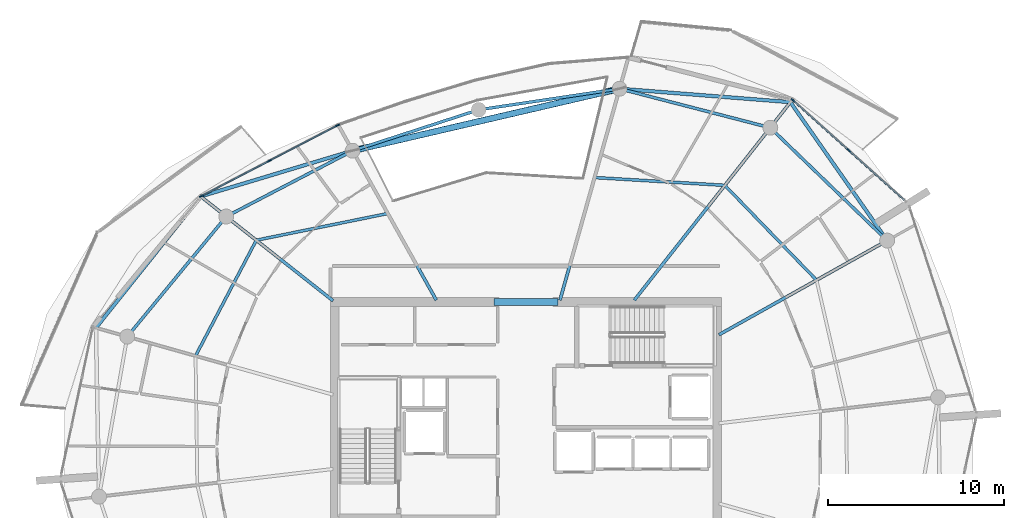
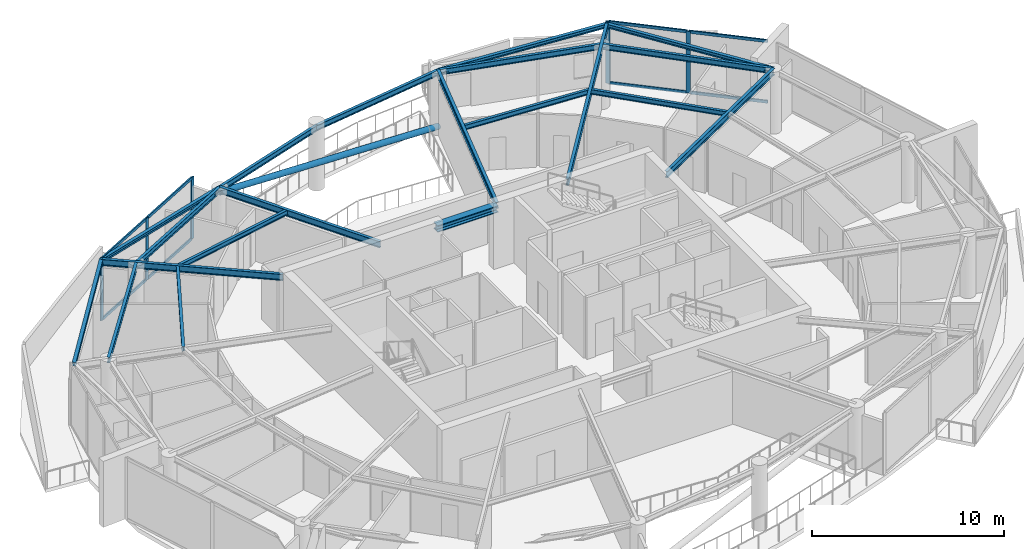
# One storey, part 7 of 22: 20 beams, 14 members, 2 elements without a shape of their own.
"""IFC4 building model written with IfcOpenShell, lengths in metres."""

import ifcopenshell
import ifcopenshell.guid

model = None  # the IFC model being written
_history = None  # IfcOwnerHistory: only IFC2X3 demands one
_inside = {}  # id of a spatial element -> (the spatial element, [elements in it])
_under = {}  # id of a project, library or spatial element -> (it, [spatial elements below it])
_declared = {}  # id of a project -> (the project, [libraries it declares])
_typed = {}  # id of a type object -> (the type object, [elements of that type])
_made_of = {}  # id of a material, layer set ... -> (it, [elements and type objects made of it])


def new_model(schema):
    """Start an empty IFC model of exactly this schema.

    Asked for "IFC4X3", IfcOpenShell would pick the latest addendum, in which some entities
    have other attributes; the version numbers below select the first issue.
    IFC2X3 requires an IfcOwnerHistory on every rooted entity: one is made here for all.
    """
    global model, _history
    if schema == "IFC4X3":
        model = ifcopenshell.file(schema_version=(4, 3, 0, 0))
    else:
        model = ifcopenshell.file(schema=schema)
    _inside.clear()
    _under.clear()
    _declared.clear()
    _typed.clear()
    _made_of.clear()
    _history = None
    if model.schema == "IFC2X3":
        org = make("IfcOrganization", Name="unknown")
        user = make(
            "IfcPersonAndOrganization",
            ThePerson=make("IfcPerson", FamilyName="unknown"),
            TheOrganization=org,
        )
        app = make(
            "IfcApplication",
            ApplicationDeveloper=org,
            Version="unknown",
            ApplicationFullName="unknown",
            ApplicationIdentifier="unknown",
        )
        _history = make(
            "IfcOwnerHistory",
            OwningUser=user,
            OwningApplication=app,
            ChangeAction="ADDED",
            CreationDate=0,
        )
    return model


def make(cls, **values):
    """One entity of the class cls with the attributes given. An attribute that is None is left unset."""
    return model.create_entity(
        cls, **{name: value for name, value in values.items() if value is not None}
    )


def rooted(cls, **values):
    """An entity with a GlobalId (a new one), such as an element, a storey or a relation."""
    return make(cls, GlobalId=ifcopenshell.guid.new(), OwnerHistory=_history, **values)


def si_unit(unit_type, name, prefix=None):
    """IfcSIUnit, for example si_unit("LENGTHUNIT", "METRE", prefix="MILLI")."""
    return make("IfcSIUnit", UnitType=unit_type, Prefix=prefix, Name=name)


def assignment(units):
    """IfcUnitAssignment: the units of a project."""
    return None if units is None else make("IfcUnitAssignment", Units=units)


def point(xyz):
    """IfcCartesianPoint."""
    return None if xyz is None else make("IfcCartesianPoint", Coordinates=xyz)


def direction(xyz):
    """IfcDirection."""
    return None if xyz is None else make("IfcDirection", DirectionRatios=xyz)


def frame(location, z_axis=None, x_axis=None):
    """IfcAxis2Placement3D, a coordinate frame: its origin and axes. An axis left out is left unset."""
    return make(
        "IfcAxis2Placement3D",
        Location=point(location),
        Axis=direction(z_axis),
        RefDirection=direction(x_axis),
    )


def frame_2d(location, x_axis=None):
    """IfcAxis2Placement2D, a coordinate frame in the plane: its origin and x axis."""
    return make(
        "IfcAxis2Placement2D", Location=point(location), RefDirection=direction(x_axis)
    )


def origin():
    """The frame at (0, 0, 0) with its axes left unset."""
    return frame((0.0, 0.0, 0.0))


def origin_2d():
    """The frame at (0, 0) in the plane with its x axis left unset."""
    return frame_2d((0.0, 0.0))


def place(relative_to, where):
    """IfcLocalPlacement: puts the frame where relative to a parent placement (None: the world)."""
    return make(
        "IfcLocalPlacement", PlacementRelTo=relative_to, RelativePlacement=where
    )


def context(
    kind, dimensions, precision=None, world=None, true_north=None, identifier=None
):
    """IfcGeometricRepresentationContext, for example the 3D "Model" context."""
    return make(
        "IfcGeometricRepresentationContext",
        ContextIdentifier=identifier,
        ContextType=kind,
        CoordinateSpaceDimension=dimensions,
        Precision=precision,
        WorldCoordinateSystem=world,
        TrueNorth=true_north,
    )


def subcontext(parent, identifier, kind, view, scale=None):
    """IfcGeometricRepresentationSubContext, for example "Body" below "Model"."""
    return make(
        "IfcGeometricRepresentationSubContext",
        ContextIdentifier=identifier,
        ContextType=kind,
        ParentContext=parent,
        TargetScale=scale,
        TargetView=view,
    )


def project(units=None, contexts=None):
    """IfcProject with its units and contexts."""
    return rooted(
        "IfcProject",
        Name="project",
        RepresentationContexts=contexts,
        UnitsInContext=assignment(units),
    )


def spatial(cls, under=None, at=None, **own):
    """A site, building, storey or space (cls), placed at a placement, below another one or the project."""
    s = rooted(cls, ObjectPlacement=at, **own)
    if under is not None:
        _under.setdefault(under.id(), (under, []))[1].append(s)
    return s


def profile(cls, at=None, kind="AREA", **sizes):
    """A parametric profile (cls). Its sizes go by their IFC names, for example OverallWidth=200.0."""
    return make(cls, ProfileType=kind, Position=at, **sizes)


def rectangle(**sizes):
    """IfcRectangleProfileDef."""
    return profile("IfcRectangleProfileDef", **sizes)


def hollow_circle(**sizes):
    """IfcCircleHollowProfileDef."""
    return profile("IfcCircleHollowProfileDef", **sizes)


def i_section(**sizes):
    """IfcIShapeProfileDef."""
    return profile("IfcIShapeProfileDef", **sizes)


def extrude(swept, where, along, depth):
    """IfcExtrudedAreaSolid: the profile swept, set in the frame where, extruded along a direction by depth."""
    return make(
        "IfcExtrudedAreaSolid",
        SweptArea=swept,
        Position=where,
        ExtrudedDirection=direction(along),
        Depth=depth,
    )


def shape(context_of_items, identifier, shape_type, items):
    """IfcShapeRepresentation: the items that make up one representation, for example the "Body"."""
    return make(
        "IfcShapeRepresentation",
        ContextOfItems=context_of_items,
        RepresentationIdentifier=identifier,
        RepresentationType=shape_type,
        Items=items,
    )


def material(Name=None, Category=None):
    """IfcMaterial."""
    return make("IfcMaterial", Name=Name, Category=Category)


def layer(
    of_material, thickness, ventilated=None, Name=None, Category=None, Priority=None
):
    """IfcMaterialLayer: one layer of a wall or slab, of a material (None: an air gap)."""
    return make(
        "IfcMaterialLayer",
        Material=of_material,
        LayerThickness=thickness,
        IsVentilated=ventilated,
        Name=Name,
        Category=Category,
        Priority=Priority,
    )


def layer_set(layers, Name=None):
    """IfcMaterialLayerSet."""
    return make("IfcMaterialLayerSet", MaterialLayers=layers, LayerSetName=Name)


def material_profile(
    of_material, cross_section, Name=None, Category=None, Priority=None
):
    """IfcMaterialProfile: a cross section and its material."""
    return make(
        "IfcMaterialProfile",
        Name=Name,
        Material=of_material,
        Profile=cross_section,
        Priority=Priority,
        Category=Category,
    )


def profile_set(profiles, Name=None, composite=None):
    """IfcMaterialProfileSet."""
    return make(
        "IfcMaterialProfileSet",
        Name=Name,
        MaterialProfiles=profiles,
        CompositeProfile=composite,
    )


def made_of(thing, what):
    """Note that an element or type object is made of a material, layer set ...; save() writes the relation."""
    if what is not None:
        _made_of.setdefault(what.id(), (what, []))[1].append(thing)
    return thing


def type_object(cls, material=None, **own):
    """A type object (cls), such as IfcWallType, which elements share."""
    return made_of(rooted(cls, **own), material)


def element(
    cls,
    number,
    at=None,
    inside=None,
    cuts=None,
    type_object=None,
    material=None,
    context=None,
    identifier="Body",
    shape_type=None,
    held_by="IfcProductDefinitionShape",
    body=None,
    shapes=None,
    **own,
):
    """One element of the class cls, such as IfcWall. Its Tag is "e" and its number.

    at: its placement. inside: the storey or other place that contains it. cuts: it is an
    opening in that element (IfcRelVoidsElement). A single representation is given by context,
    identifier, shape_type and body (its items); several are given by shapes. held_by: the class
    of the entity that holds the representations. save() writes the other relations.
    """
    e = rooted(cls, Tag="e%d" % number, ObjectPlacement=at, **own)
    if body is not None:
        shapes = [shape(context, identifier, shape_type, body)]
    if shapes is not None:
        e.Representation = make(held_by, Representations=shapes)
    if inside is not None:
        _inside.setdefault(inside.id(), (inside, []))[1].append(e)
    if cuts is not None:
        rooted(
            "IfcRelVoidsElement", RelatingBuildingElement=cuts, RelatedOpeningElement=e
        )
    if type_object is not None:
        _typed.setdefault(type_object.id(), (type_object, []))[1].append(e)
    return made_of(e, material)


def aggregate(whole, parts):
    """IfcRelAggregates: a whole, such as a stair, and the parts it consists of."""
    return rooted("IfcRelAggregates", RelatingObject=whole, RelatedObjects=parts)


def save(model, path):
    """Write the relations noted so far, then the file.

    IfcRelAggregates (storeys below a building ...), IfcRelContainedInSpatialStructure (elements
    in a storey), IfcRelDefinesByType, IfcRelAssociatesMaterial and IfcRelDeclares: one each for
    every whole, place, type object, material and project.
    """
    for whole, parts in _under.values():
        aggregate(whole, parts)
    for where, things in _inside.values():
        rooted(
            "IfcRelContainedInSpatialStructure",
            RelatedElements=things,
            RelatingStructure=where,
        )
    for kind, things in _typed.values():
        rooted("IfcRelDefinesByType", RelatedObjects=things, RelatingType=kind)
    for what, things in _made_of.values():
        rooted("IfcRelAssociatesMaterial", RelatedObjects=things, RelatingMaterial=what)
    for by, libraries in _declared.values():
        rooted("IfcRelDeclares", RelatingContext=by, RelatedDefinitions=libraries)
    model.write(path)


model = new_model("IFC4")

# Units and contexts
model_context = context("Model", 3, precision=1e-05, world=origin(), true_north=direction((0.0, 1.0)))
body_context = subcontext(model_context, "Body", "Model", "MODEL_VIEW")
ifc_project = project(units=[si_unit("LENGTHUNIT", "METRE"), si_unit("AREAUNIT", "SQUARE_METRE"), si_unit("VOLUMEUNIT", "CUBIC_METRE"), si_unit("PLANEANGLEUNIT", "RADIAN"), si_unit("MASSUNIT", "GRAM", prefix="KILO")], contexts=[model_context])

# Site, building, storey
site_placement = place(None, origin())
site = spatial("IfcSite", under=ifc_project, at=site_placement, CompositionType="ELEMENT")
building_placement = place(site_placement, origin())
building = spatial("IfcBuilding", under=site, at=building_placement, Name="Kazma Halo Residences", CompositionType="ELEMENT")
storey_placement = place(building_placement, frame((0.0, 0.0, 326.300048828125)))
storey = spatial("IfcBuildingStorey", under=building, at=storey_placement, Name="L82", CompositionType="ELEMENT", Elevation=326.300048828125)

# Beams
ifc_material_1 = material(Name="Steel S355", Category="steel")
ifc_material_profile_1 = material_profile(ifc_material_1, i_section(OverallWidth=0.201904296875, OverallDepth=0.2470703125, WebThickness=0.00732421875, FlangeThickness=0.010986328125, FilletRadius=0.011962890625, at=origin_2d()), Name="W250x49.1")
ifc_profile_set_1 = profile_set([ifc_material_profile_1], Name="Steel S355")
beam_type_1 = type_object("IfcBeamType", Name="BM-BAL-CANT", PredefinedType="BEAM", material=ifc_profile_set_1)
beam_1_placement = place(storey_placement, frame((68.96337890625, 53.739990234375, 3.81640625), z_axis=(-0.572873629847, 0.819643705659, 0.0), x_axis=(-0.819643705659, -0.572873629847, 0.0)))
element("IfcBeam", 1, at=beam_1_placement, inside=storey, type_object=beam_type_1, Name="L82 wave-balcony lead tie beam 01", PredefinedType="BEAM", context=body_context, shape_type="SweptSolid", body=[
    extrude(i_section(OverallWidth=0.201904296875, OverallDepth=0.2470703125, WebThickness=0.00732421875, FlangeThickness=0.010986328125, FilletRadius=0.011962890625, at=origin_2d()), origin(), (0.0, 0.0, 1.0), 9.6044921875),
])
beam_2_placement = place(storey_placement, frame((63.461181640625, 61.6123046875, 3.81640625), z_axis=(-0.996920506796, 0.078418767718, 0.0), x_axis=(-0.078418767718, -0.996920506796, 0.0)))
element("IfcBeam", 2, at=beam_2_placement, inside=storey, type_object=beam_type_1, Name="L82 wave-balcony tie beam 02", PredefinedType="BEAM", context=body_context, shape_type="SweptSolid", body=[
    extrude(i_section(OverallWidth=0.201904296875, OverallDepth=0.2470703125, WebThickness=0.00732421875, FlangeThickness=0.010986328125, FilletRadius=0.011962890625, at=origin_2d()), origin(), (0.0, 0.0, 1.0), 9.74462890625),
])
beam_3_placement = place(storey_placement, frame((38.563232421875, 58.8505859375, 3.81640625), z_axis=(-0.957652623349, -0.287926124193, 0.0), x_axis=(0.287926124193, -0.957652623349, 0.0)))
element("IfcBeam", 3, at=beam_3_placement, inside=storey, type_object=beam_type_1, Name="L82 wave-balcony lead tie beam 05", PredefinedType="BEAM", context=body_context, shape_type="SweptSolid", body=[
    extrude(i_section(OverallWidth=0.201904296875, OverallDepth=0.2470703125, WebThickness=0.00732421875, FlangeThickness=0.010986328125, FilletRadius=0.011962890625, at=origin_2d()), origin(), (0.0, 0.0, 1.0), 9.0244140625),
])
beam_4_placement = place(storey_placement, frame((29.9208984375, 56.252197265625, 3.81640625), z_axis=(-0.623310870646, -0.781974141858, 0.0), x_axis=(0.781974141858, -0.623310870646, 0.0)))
element("IfcBeam", 4, at=beam_4_placement, inside=storey, type_object=beam_type_1, Name="L82 wave-balcony tie beam 06", PredefinedType="BEAM", context=body_context, shape_type="SweptSolid", body=[
    extrude(i_section(OverallWidth=0.201904296875, OverallDepth=0.2470703125, WebThickness=0.00732421875, FlangeThickness=0.010986328125, FilletRadius=0.011962890625, at=origin_2d()), origin(), (0.0, 0.0, 1.0), 9.55712890625),
])
ifc_material_profile_2 = material_profile(ifc_material_1, i_section(OverallWidth=0.408935546875, OverallDepth=0.425048828125, WebThickness=0.03271484375, FlangeThickness=0.052490234375, FilletRadius=0.02001953125, at=origin_2d()), Name="W360x421")
ifc_profile_set_2 = profile_set([ifc_material_profile_2], Name="Steel S355")
beam_type_2 = type_object("IfcBeamType", Name="BM-CORE-W360H", PredefinedType="BEAM", material=ifc_profile_set_2)
beam_5_placement = place(storey_placement, frame((46.60009765625, 50.25, 3.7275390625), z_axis=(1.0, 0.0, 0.0), x_axis=(0.0, 1.0, 0.0)))
element("IfcBeam", 5, at=beam_5_placement, inside=storey, type_object=beam_type_2, Name="L82 core coupling beam N", PredefinedType="BEAM", context=body_context, shape_type="SweptSolid", body=[
    extrude(i_section(OverallWidth=0.408935546875, OverallDepth=0.425048828125, WebThickness=0.03271484375, FlangeThickness=0.052490234375, FilletRadius=0.02001953125, at=origin_2d()), origin(), (0.0, 0.0, 1.0), 3.64990234375),
])
ifc_material_profile_3 = material_profile(ifc_material_1, i_section(OverallWidth=0.177978515625, OverallDepth=0.406982421875, WebThickness=0.0078125, FlangeThickness=0.0126953125, FilletRadius=0.013916015625, at=origin_2d()), Name="W410x60")
ifc_profile_set_3 = profile_set([ifc_material_profile_3], Name="Steel S355")
beam_type_3 = type_object("IfcBeamType", Name="BM-RAD-W410", PredefinedType="BEAM", material=ifc_profile_set_3)
beam_6_placement = place(storey_placement, frame((59.39990234375, 48.38427734375, 3.736572265625), z_axis=(0.872499558985, 0.488614899047, 0.0), x_axis=(-0.488614899047, 0.872499558985, 0.0)))
element("IfcBeam", 6, at=beam_6_placement, inside=storey, type_object=beam_type_3, Name="L82 radial floor beam 01", PredefinedType="BEAM", context=body_context, shape_type="SweptSolid", body=[
    extrude(i_section(OverallWidth=0.177978515625, OverallDepth=0.406982421875, WebThickness=0.0078125, FlangeThickness=0.0126953125, FilletRadius=0.013916015625, at=origin_2d()), origin(), (0.0, 0.0, 1.0), 10.9609375),
])
beam_7_placement = place(storey_placement, frame((54.58251953125, 50.35009765625, 3.736572265625), z_axis=(0.61910487104, 0.78530832076, 0.0), x_axis=(-0.78530832076, 0.61910487104, 0.0)))
element("IfcBeam", 7, at=beam_7_placement, inside=storey, type_object=beam_type_3, Name="L82 radial floor beam 02", PredefinedType="BEAM", context=body_context, shape_type="SweptSolid", body=[
    extrude(i_section(OverallWidth=0.177978515625, OverallDepth=0.406982421875, WebThickness=0.0078125, FlangeThickness=0.0126953125, FilletRadius=0.013916015625, at=origin_2d()), origin(), (0.0, 0.0, 1.0), 14.341064453125),
])
beam_8_placement = place(storey_placement, frame((50.35498046875, 50.35009765625, 3.736572265625), z_axis=(0.271426752139, 0.962459099507, 0.0), x_axis=(-0.962459099507, 0.271426752139, 0.0)))
element("IfcBeam", 8, at=beam_8_placement, inside=storey, type_object=beam_type_3, Name="L82 radial floor beam 03", PredefinedType="BEAM", context=body_context, shape_type="SweptSolid", body=[
    extrude(i_section(OverallWidth=0.177978515625, OverallDepth=0.406982421875, WebThickness=0.0078125, FlangeThickness=0.0126953125, FilletRadius=0.013916015625, at=origin_2d()), origin(), (0.0, 0.0, 1.0), 12.495361328125),
])
beam_9_placement = place(storey_placement, frame((43.32373046875, 50.35009765625, 3.736572265625), z_axis=(-0.488620919127, 0.872496187608, 0.0), x_axis=(-0.872496187608, -0.488620919127, 0.0)))
element("IfcBeam", 9, at=beam_9_placement, inside=storey, type_object=beam_type_3, Name="L82 radial floor beam 05", PredefinedType="BEAM", context=body_context, shape_type="SweptSolid", body=[
    extrude(i_section(OverallWidth=0.177978515625, OverallDepth=0.406982421875, WebThickness=0.0078125, FlangeThickness=0.0126953125, FilletRadius=0.013916015625, at=origin_2d()), origin(), (0.0, 0.0, 1.0), 9.74267578125),
])
beam_10_placement = place(storey_placement, frame((37.449951171875, 50.31689453125, 3.736572265625), z_axis=(-0.78532321171, 0.619085982032, 0.0), x_axis=(-0.619085982032, -0.78532321171, 0.0)))
element("IfcBeam", 10, at=beam_10_placement, inside=storey, type_object=beam_type_3, Name="L82 radial floor beam 06", PredefinedType="BEAM", context=body_context, shape_type="SweptSolid", body=[
    extrude(i_section(OverallWidth=0.177978515625, OverallDepth=0.406982421875, WebThickness=0.0078125, FlangeThickness=0.0126953125, FilletRadius=0.013916015625, at=origin_2d()), origin(), (0.0, 0.0, 1.0), 9.587158203125),
])
ifc_material_profile_4 = material_profile(ifc_material_1, i_section(OverallWidth=0.1650390625, OverallDepth=0.31005859375, WebThickness=0.005859375, FlangeThickness=0.009765625, FilletRadius=0.011962890625, at=origin_2d()), Name="W310x38.7")
ifc_profile_set_4 = profile_set([ifc_material_profile_4], Name="Steel S355")
beam_type_4 = type_object("IfcBeamType", Name="BM-SEC-W310B", PredefinedType="JOIST", material=ifc_profile_set_4)
beam_11_placement = place(storey_placement, frame((64.94677734375, 51.490478515625, 3.784912109375), z_axis=(-0.695209401678, 0.718807267506, 0.0), x_axis=(-0.718807267506, -0.695209401678, 0.0)))
element("IfcBeam", 11, at=beam_11_placement, inside=storey, type_object=beam_type_4, Name="L82 circumferential floor joist 01", PredefinedType="JOIST", context=body_context, shape_type="SweptSolid", body=[
    extrude(i_section(OverallWidth=0.1650390625, OverallDepth=0.31005859375, WebThickness=0.005859375, FlangeThickness=0.009765625, FilletRadius=0.011962890625, at=origin_2d()), origin(), (0.0, 0.0, 1.0), 7.500732421875),
])
beam_12_placement = place(storey_placement, frame((59.732177734375, 56.882080078125, 3.784912109375), z_axis=(-0.998216858477, 0.059691736892, 0.0), x_axis=(-0.059691736892, -0.998216858477, 0.0)))
element("IfcBeam", 12, at=beam_12_placement, inside=storey, type_object=beam_type_4, Name="L82 circumferential floor joist 02", PredefinedType="JOIST", context=body_context, shape_type="SweptSolid", body=[
    extrude(i_section(OverallWidth=0.1650390625, OverallDepth=0.31005859375, WebThickness=0.005859375, FlangeThickness=0.009765625, FilletRadius=0.011962890625, at=origin_2d()), origin(), (0.0, 0.0, 1.0), 7.42333984375),
])
beam_13_placement = place(storey_placement, frame((40.562744140625, 55.280517578125, 3.784912109375), z_axis=(-0.979943226728, -0.199276873695, 0.0), x_axis=(0.199276873695, -0.979943226728, 0.0)))
element("IfcBeam", 13, at=beam_13_placement, inside=storey, type_object=beam_type_4, Name="L82 circumferential floor joist 05", PredefinedType="JOIST", context=body_context, shape_type="SweptSolid", body=[
    extrude(i_section(OverallWidth=0.1650390625, OverallDepth=0.31005859375, WebThickness=0.005859375, FlangeThickness=0.009765625, FilletRadius=0.011962890625, at=origin_2d()), origin(), (0.0, 0.0, 1.0), 7.632568359375),
])
beam_14_placement = place(storey_placement, frame((33.083251953125, 53.759521484375, 3.784912109375), z_axis=(-0.464998741676, -0.885311340851, 0.0), x_axis=(0.885311340851, -0.464998741676, 0.0)))
element("IfcBeam", 14, at=beam_14_placement, inside=storey, type_object=beam_type_4, Name="L82 circumferential floor joist 06", PredefinedType="JOIST", context=body_context, shape_type="SweptSolid", body=[
    extrude(i_section(OverallWidth=0.1650390625, OverallDepth=0.31005859375, WebThickness=0.005859375, FlangeThickness=0.009765625, FilletRadius=0.011962890625, at=origin_2d()), origin(), (0.0, 0.0, 1.0), 7.43017578125),
])
ifc_material_profile_5 = material_profile(ifc_material_1, i_section(OverallWidth=0.1708984375, OverallDepth=0.35498046875, WebThickness=0.007080078125, FlangeThickness=0.01171875, FilletRadius=0.013916015625, at=origin_2d()), Name="W360x51")
ifc_profile_set_5 = profile_set([ifc_material_profile_5], Name="Steel S355")
beam_type_5 = type_object("IfcBeamType", Name="BM-SPN-W360", PredefinedType="BEAM", material=ifc_profile_set_5)
beam_15_placement = place(storey_placement, frame((68.96337890625, 53.739990234375, 3.762451171875), z_axis=(-0.71933681628, 0.694661460529, 0.0), x_axis=(-0.694661460529, -0.71933681628, 0.0)))
element("IfcBeam", 15, at=beam_15_placement, inside=storey, type_object=beam_type_5, Name="L82 perimeter ring beam 01", PredefinedType="BEAM", context=body_context, shape_type="SweptSolid", body=[
    extrude(i_section(OverallWidth=0.1708984375, OverallDepth=0.35498046875, WebThickness=0.007080078125, FlangeThickness=0.01171875, FilletRadius=0.013916015625, at=origin_2d()), origin(), (0.0, 0.0, 1.0), 9.2412109375),
])
beam_16_placement = place(storey_placement, frame((62.31591796875, 60.159423828125, 3.762451171875), z_axis=(-0.968124082793, 0.250471076805, 0.0), x_axis=(-0.250471076805, -0.968124082793, 0.0)))
element("IfcBeam", 16, at=beam_16_placement, inside=storey, type_object=beam_type_5, Name="L82 perimeter ring beam 02", PredefinedType="BEAM", context=body_context, shape_type="SweptSolid", body=[
    extrude(i_section(OverallWidth=0.1708984375, OverallDepth=0.35498046875, WebThickness=0.007080078125, FlangeThickness=0.01171875, FilletRadius=0.013916015625, at=origin_2d()), origin(), (0.0, 0.0, 1.0), 8.8515625),
])
beam_17_placement = place(storey_placement, frame((53.74658203125, 62.37646484375, 3.762451171875), z_axis=(-0.989030710595, -0.147710031817, 0.0), x_axis=(0.147710031817, -0.989030710595, 0.0)))
element("IfcBeam", 17, at=beam_17_placement, inside=storey, type_object=beam_type_5, Name="L82 perimeter ring beam 03", PredefinedType="BEAM", context=body_context, shape_type="SweptSolid", body=[
    extrude(i_section(OverallWidth=0.1708984375, OverallDepth=0.35498046875, WebThickness=0.007080078125, FlangeThickness=0.01171875, FilletRadius=0.013916015625, at=origin_2d()), origin(), (0.0, 0.0, 1.0), 8.10546875),
])
beam_18_placement = place(storey_placement, frame((45.72998046875, 61.17919921875, 3.762451171875), z_axis=(-0.951056684666, -0.309016476183, 0.0), x_axis=(0.309016476183, -0.951056684666, 0.0)))
element("IfcBeam", 18, at=beam_18_placement, inside=storey, type_object=beam_type_5, Name="L82 perimeter ring beam 04", PredefinedType="BEAM", context=body_context, shape_type="SweptSolid", body=[
    extrude(i_section(OverallWidth=0.1708984375, OverallDepth=0.35498046875, WebThickness=0.007080078125, FlangeThickness=0.01171875, FilletRadius=0.013916015625, at=origin_2d()), origin(), (0.0, 0.0, 1.0), 7.53564453125),
])
beam_19_placement = place(storey_placement, frame((38.563232421875, 58.8505859375, 3.762451171875), z_axis=(-0.886957269655, -0.461851493238, 0.0), x_axis=(0.461851493238, -0.886957269655, 0.0)))
element("IfcBeam", 19, at=beam_19_placement, inside=storey, type_object=beam_type_5, Name="L82 perimeter ring beam 05", PredefinedType="BEAM", context=body_context, shape_type="SweptSolid", body=[
    extrude(i_section(OverallWidth=0.1708984375, OverallDepth=0.35498046875, WebThickness=0.007080078125, FlangeThickness=0.01171875, FilletRadius=0.013916015625, at=origin_2d()), origin(), (0.0, 0.0, 1.0), 8.105712890625),
])
beam_20_placement = place(storey_placement, frame((31.373779296875, 55.10693359375, 3.762451171875), z_axis=(-0.636004986424, -0.771684946881, 0.0), x_axis=(0.771684946881, -0.636004986424, 0.0)))
element("IfcBeam", 20, at=beam_20_placement, inside=storey, type_object=beam_type_5, Name="L82 perimeter ring beam 06", PredefinedType="BEAM", context=body_context, shape_type="SweptSolid", body=[
    extrude(i_section(OverallWidth=0.1708984375, OverallDepth=0.35498046875, WebThickness=0.007080078125, FlangeThickness=0.01171875, FilletRadius=0.013916015625, at=origin_2d()), origin(), (0.0, 0.0, 1.0), 8.85107421875),
])

# Curtain wall, members
ifc_material_2 = material(Name="Aluminium AW-6063 T6 and Triple-Silver Low-E Glass", Category="aluminium")
ifc_layer = layer(ifc_material_2, 0.239990234375)
ifc_layer_set = layer_set([ifc_layer], Name="Aluminium AW-6063 T6 and Triple-Silver Low-E Glass")
curtain_wall_type = type_object("IfcCurtainWallType", Name="CW-SYS-6", PredefinedType="NOTDEFINED", material=ifc_layer_set)
curtain_wall_1_placement = place(storey_placement, origin())
curtain_wall_1 = element("IfcCurtainWall", 21, at=curtain_wall_1_placement, inside=storey, type_object=curtain_wall_type, Name="L82 unitised curtain wall B01", PredefinedType="NOTDEFINED")
ifc_material_3 = material(Name="Aluminium AW-6063 T6", Category="aluminium")
ifc_material_profile_6 = material_profile(ifc_material_3, rectangle(XDim=0.080078125, YDim=0.239990234375, at=origin_2d()), Name="CWM-80x240")
ifc_profile_set_6 = profile_set([ifc_material_profile_6], Name="Aluminium AW-6063 T6")
member_type_1 = type_object("IfcMemberType", Name="CW-SYS-6-MUL", PredefinedType="MULLION", material=ifc_profile_set_6)
member_1_placement = place(storey_placement, frame((66.78466796875, 58.86962890625, 0.0), z_axis=(0.0, 0.0, 1.0), x_axis=(-0.667757559118, -0.744378829791, 0.0)))
member_1 = element("IfcMember", 22, at=member_1_placement, type_object=member_type_1, Name="CWS-6 mullion 2", PredefinedType="MULLION", context=body_context, shape_type="SweptSolid", body=[
    extrude(rectangle(XDim=0.080078125, YDim=0.239990234375, at=origin_2d()), origin(), (0.0, 0.0, 1.0), 3.93994140625),
])
member_2_placement = place(storey_placement, frame((63.60107421875, 61.7255859375, 0.0), z_axis=(0.0, 0.0, 1.0), x_axis=(-0.667757559118, -0.744378829791, 0.0)))
member_2 = element("IfcMember", 23, at=member_2_placement, type_object=member_type_1, Name="CWS-6 mullion 3", PredefinedType="MULLION", context=body_context, shape_type="SweptSolid", body=[
    extrude(rectangle(XDim=0.080078125, YDim=0.239990234375, at=origin_2d()), origin(), (0.0, 0.0, 1.0), 3.93994140625),
])

curtain_wall_2_placement = place(storey_placement, origin())
curtain_wall_2 = element("IfcCurtainWall", 24, at=curtain_wall_2_placement, inside=storey, type_object=curtain_wall_type, Name="L82 unitised curtain wall B05", PredefinedType="NOTDEFINED")
member_3_placement = place(storey_placement, frame((37.709716796875, 60.29296875, 0.0), z_axis=(0.0, 0.0, 1.0), x_axis=(0.460796020861, -0.887506071618, 0.0)))
member_3 = element("IfcMember", 25, at=member_3_placement, type_object=member_type_1, Name="CWS-6 mullion 1", PredefinedType="MULLION", context=body_context, shape_type="SweptSolid", body=[
    extrude(rectangle(XDim=0.080078125, YDim=0.239990234375, at=origin_2d()), origin(), (0.0, 0.0, 1.0), 3.93994140625),
])
member_4_placement = place(storey_placement, frame((33.83447265625, 58.28076171875, 0.0), z_axis=(0.0, 0.0, 1.0), x_axis=(0.460796020861, -0.887506071618, 0.0)))
member_4 = element("IfcMember", 26, at=member_4_placement, type_object=member_type_1, Name="CWS-6 mullion 2", PredefinedType="MULLION", context=body_context, shape_type="SweptSolid", body=[
    extrude(rectangle(XDim=0.080078125, YDim=0.239990234375, at=origin_2d()), origin(), (0.0, 0.0, 1.0), 3.93994140625),
])
member_5_placement = place(storey_placement, frame((29.958984375, 56.268798828125, 0.0), z_axis=(0.0, 0.0, 1.0), x_axis=(0.460796020861, -0.887506071618, 0.0)))
member_5 = element("IfcMember", 27, at=member_5_placement, type_object=member_type_1, Name="CWS-6 mullion 3", PredefinedType="MULLION", context=body_context, shape_type="SweptSolid", body=[
    extrude(rectangle(XDim=0.080078125, YDim=0.239990234375, at=origin_2d()), origin(), (0.0, 0.0, 1.0), 3.93994140625),
])

# Member
ifc_material_profile_7 = material_profile(ifc_material_3, rectangle(XDim=0.080078125, YDim=0.179931640625, at=origin_2d()), Name="CWT-80x180")
ifc_profile_set_7 = profile_set([ifc_material_profile_7], Name="Aluminium AW-6063 T6")
member_type_2 = type_object("IfcMemberType", Name="CW-SYS-6-TRN", PredefinedType="USERDEFINED", material=ifc_profile_set_7)
member_6_placement = place(storey_placement, frame((69.938232421875, 56.04052734375, 0.0400390625), z_axis=(-0.744349048391, 0.66779075627, 0.0), x_axis=(-0.66779075627, -0.744349048391, 0.0)))
member_6 = element("IfcMember", 28, at=member_6_placement, type_object=member_type_2, Name="CWS-6 transom 1.1", ObjectType="TRANSOM", PredefinedType="USERDEFINED", context=body_context, shape_type="SweptSolid", body=[
    extrude(rectangle(XDim=0.080078125, YDim=0.179931640625, at=origin_2d()), origin(), (0.0, 0.0, 1.0), 4.19677734375),
])

member_7_placement = place(storey_placement, frame((69.938232421875, 56.04052734375, 3.89990234375), z_axis=(-0.744349048391, 0.66779075627, 0.0), x_axis=(-0.66779075627, -0.744349048391, 0.0)))
member_7 = element("IfcMember", 29, at=member_7_placement, type_object=member_type_2, Name="CWS-6 transom 1.2", ObjectType="TRANSOM", PredefinedType="USERDEFINED", context=body_context, shape_type="SweptSolid", body=[
    extrude(rectangle(XDim=0.080078125, YDim=0.179931640625, at=origin_2d()), origin(), (0.0, 0.0, 1.0), 4.19677734375),
])

member_8_placement = place(storey_placement, frame((66.7548828125, 58.896484375, 0.0400390625), z_axis=(-0.744403905463, 0.667729605103, 0.0), x_axis=(-0.667729605103, -0.744403905463, 0.0)))
member_8 = element("IfcMember", 30, at=member_8_placement, type_object=member_type_2, Name="CWS-6 transom 2.1", ObjectType="TRANSOM", PredefinedType="USERDEFINED", context=body_context, shape_type="SweptSolid", body=[
    extrude(rectangle(XDim=0.080078125, YDim=0.179931640625, at=origin_2d()), origin(), (0.0, 0.0, 1.0), 4.19677734375),
])

member_9_placement = place(storey_placement, frame((66.7548828125, 58.896484375, 3.89990234375), z_axis=(-0.744403905463, 0.667729605103, 0.0), x_axis=(-0.667729605103, -0.744403905463, 0.0)))
member_9 = element("IfcMember", 31, at=member_9_placement, type_object=member_type_2, Name="CWS-6 transom 2.2", ObjectType="TRANSOM", PredefinedType="USERDEFINED", context=body_context, shape_type="SweptSolid", body=[
    extrude(rectangle(XDim=0.080078125, YDim=0.179931640625, at=origin_2d()), origin(), (0.0, 0.0, 1.0), 4.19677734375),
])

aggregate(curtain_wall_1, [member_1, member_2, member_6, member_7, member_8, member_9])

member_10_placement = place(storey_placement, frame((37.67431640625, 60.2744140625, 0.0400390625), z_axis=(-0.88752339951, -0.460762645321, 0.0), x_axis=(0.460762645321, -0.88752339951, 0.0)))
member_10 = element("IfcMember", 32, at=member_10_placement, type_object=member_type_2, Name="CWS-6 transom 1.1", ObjectType="TRANSOM", PredefinedType="USERDEFINED", context=body_context, shape_type="SweptSolid", body=[
    extrude(rectangle(XDim=0.080078125, YDim=0.179931640625, at=origin_2d()), origin(), (0.0, 0.0, 1.0), 4.28662109375),
])

member_11_placement = place(storey_placement, frame((37.67431640625, 60.2744140625, 3.89990234375), z_axis=(-0.88752339951, -0.460762645321, 0.0), x_axis=(0.460762645321, -0.88752339951, 0.0)))
member_11 = element("IfcMember", 33, at=member_11_placement, type_object=member_type_2, Name="CWS-6 transom 1.2", ObjectType="TRANSOM", PredefinedType="USERDEFINED", context=body_context, shape_type="SweptSolid", body=[
    extrude(rectangle(XDim=0.080078125, YDim=0.179931640625, at=origin_2d()), origin(), (0.0, 0.0, 1.0), 4.28662109375),
])

member_12_placement = place(storey_placement, frame((33.798828125, 58.262451171875, 0.0400390625), z_axis=(-0.887488013571, -0.4608307995, 0.0), x_axis=(0.4608307995, -0.887488013571, 0.0)))
member_12 = element("IfcMember", 34, at=member_12_placement, type_object=member_type_2, Name="CWS-6 transom 2.1", ObjectType="TRANSOM", PredefinedType="USERDEFINED", context=body_context, shape_type="SweptSolid", body=[
    extrude(rectangle(XDim=0.080078125, YDim=0.179931640625, at=origin_2d()), origin(), (0.0, 0.0, 1.0), 4.286376953125),
])

member_13_placement = place(storey_placement, frame((33.798828125, 58.262451171875, 3.89990234375), z_axis=(-0.887488013571, -0.4608307995, 0.0), x_axis=(0.4608307995, -0.887488013571, 0.0)))
member_13 = element("IfcMember", 35, at=member_13_placement, type_object=member_type_2, Name="CWS-6 transom 2.2", ObjectType="TRANSOM", PredefinedType="USERDEFINED", context=body_context, shape_type="SweptSolid", body=[
    extrude(rectangle(XDim=0.080078125, YDim=0.179931640625, at=origin_2d()), origin(), (0.0, 0.0, 1.0), 4.286376953125),
])

aggregate(curtain_wall_2, [member_3, member_4, member_5, member_10, member_11, member_12, member_13])

ifc_material_profile_8 = material_profile(ifc_material_1, hollow_circle(Radius=0.177734375, WallThickness=0.012451171875, at=origin_2d()), Name="CHS355.6x12.5")
ifc_profile_set_8 = profile_set([ifc_material_profile_8], Name="Steel S355")
member_type_3 = type_object("IfcMemberType", Name="MBR-PORT-CHS355", PredefinedType="BRACE", material=ifc_profile_set_8)
member_14_placement = place(storey_placement, frame((53.74658203125, 62.37646484375, 0.300048828125), z_axis=(-0.953451168397, -0.221410522005, 0.204715046415), x_axis=(0.226201096399, -0.974080624994, 0.0)))
element("IfcMember", 36, at=member_14_placement, inside=storey, type_object=member_type_3, Name="L82 upper wind-portal brace NNW", PredefinedType="BRACE", context=body_context, shape_type="SweptSolid", body=[
    extrude(hollow_circle(Radius=0.177734375, WallThickness=0.012451171875, at=origin_2d()), origin(), (0.0, 0.0, 1.0), 15.924560546875),
])

save(model, "model.ifc")
